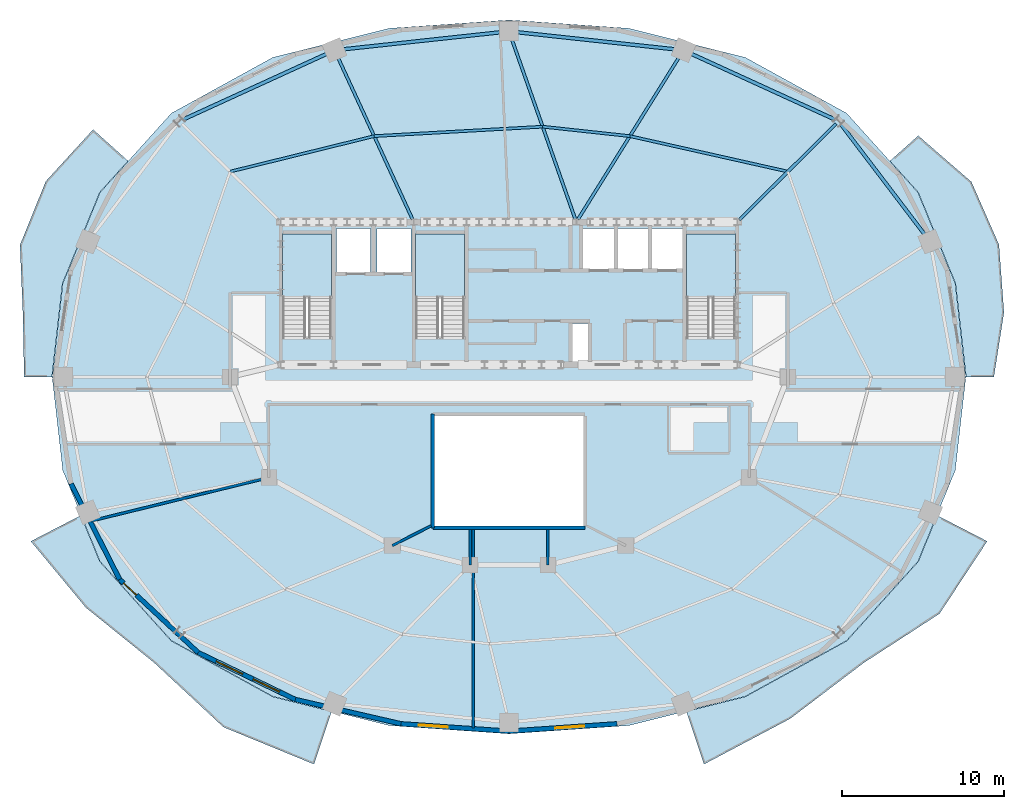
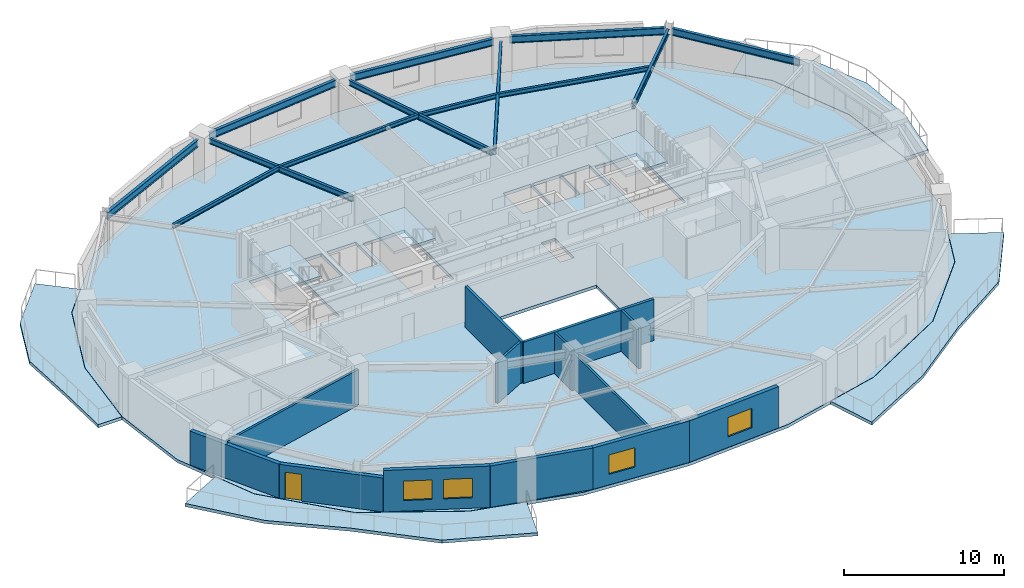
# One storey, part 3 of 11: 13 beams, 13 walls, 8 slabs, 4 windows, 1 door, 5 openings, 3 elements without a shape of their own.
"""IFC4 building model written with IfcOpenShell, lengths in metres."""

from ifc_helpers import new_model, si_unit, direction, frame, frame_2d, origin, origin_2d, place, context, subcontext, project, spatial, polyline, rectangle, i_section, outline, extrude, material, layer, layer_set, material_profile, profile_set, type_object, element, fill, aggregate, save


model = new_model("IFC4")

# Units and contexts
model_context = context("Model", 3, precision=1e-05, world=origin(), true_north=direction((0.0, 1.0)))
body_context = subcontext(model_context, "Body", "Model", "MODEL_VIEW")
ifc_project = project(units=[si_unit("LENGTHUNIT", "METRE"), si_unit("AREAUNIT", "SQUARE_METRE"), si_unit("VOLUMEUNIT", "CUBIC_METRE"), si_unit("PLANEANGLEUNIT", "RADIAN"), si_unit("MASSUNIT", "GRAM", prefix="KILO")], contexts=[model_context])

# Site, building, storey
site_placement = place(None, origin())
site = spatial("IfcSite", under=ifc_project, at=site_placement, CompositionType="ELEMENT")
building_placement = place(site_placement, origin())
building = spatial("IfcBuilding", under=site, at=building_placement, Name="Haldorwick Loom Tower", CompositionType="ELEMENT")
storey_placement = place(building_placement, frame((0.0, 0.0, 218.64990234375)))
storey = spatial("IfcBuildingStorey", under=building, at=storey_placement, Name="L59", CompositionType="ELEMENT", Elevation=218.64990234375)

# Beams
ifc_material_1 = material(Name="Steel CSA G40.21 350W", Category="steel")
ifc_material_profile_1 = material_profile(ifc_material_1, i_section(OverallWidth=0.166015625, OverallDepth=0.31298828125, WebThickness=0.006591796875, FlangeThickness=0.01123046875, at=origin_2d()), Name="W310X45", Category="steel")
ifc_profile_set_1 = profile_set([ifc_material_profile_1], Name="Steel CSA G40.21 350W")
beam_type_1 = type_object("IfcBeamType", Name="STR-BM-J310", PredefinedType="JOIST", material=ifc_profile_set_1)
beam_1_placement = place(storey_placement, frame((53.19384765625, 38.657470703125, 2.99365234375), z_axis=(-0.975700785876, 0.219107225898, 0.0), x_axis=(-0.219107225898, -0.975700785876, 0.0)))
element("IfcBeam", 1, at=beam_1_placement, inside=storey, type_object=beam_type_1, Name="L59 Mid-Bay Secondary Joist 3", PredefinedType="JOIST", context=body_context, shape_type="SweptSolid", body=[
    extrude(i_section(OverallWidth=0.166015625, OverallDepth=0.31298828125, WebThickness=0.006591796875, FlangeThickness=0.01123046875, at=origin_2d()), origin(), (0.0, 0.0, 1.0), 9.98486328125),
])
beam_2_placement = place(storey_placement, frame((43.45166015625, 40.84521484375, 2.99365234375), z_axis=(-0.994187082722, 0.107666357549, 0.0), x_axis=(-0.107666357549, -0.994187082722, 0.0)))
element("IfcBeam", 2, at=beam_2_placement, inside=storey, type_object=beam_type_1, Name="L59 Mid-Bay Secondary Joist 4", PredefinedType="JOIST", context=body_context, shape_type="SweptSolid", body=[
    extrude(i_section(OverallWidth=0.166015625, OverallDepth=0.31298828125, WebThickness=0.006591796875, FlangeThickness=0.01123046875, at=origin_2d()), origin(), (0.0, 0.0, 1.0), 5.408203125),
])
beam_3_placement = place(storey_placement, frame((38.074951171875, 41.427490234375, 2.99365234375), z_axis=(-0.998432354117, -0.05597172726, 0.0), x_axis=(0.05597172726, -0.998432354117, 0.0)))
element("IfcBeam", 3, at=beam_3_placement, inside=storey, type_object=beam_type_1, Name="L59 Mid-Bay Secondary Joist 5", PredefinedType="JOIST", context=body_context, shape_type="SweptSolid", body=[
    extrude(i_section(OverallWidth=0.166015625, OverallDepth=0.31298828125, WebThickness=0.006591796875, FlangeThickness=0.01123046875, at=origin_2d()), origin(), (0.0, 0.0, 1.0), 10.403076171875),
])
beam_4_placement = place(storey_placement, frame((27.688232421875, 40.84521484375, 2.99365234375), z_axis=(-0.970979703726, -0.239161901132, 0.0), x_axis=(0.239161901132, -0.970979703726, 0.0)))
element("IfcBeam", 4, at=beam_4_placement, inside=storey, type_object=beam_type_1, Name="L59 Mid-Bay Secondary Joist 6", PredefinedType="JOIST", context=body_context, shape_type="SweptSolid", body=[
    extrude(i_section(OverallWidth=0.166015625, OverallDepth=0.31298828125, WebThickness=0.006591796875, FlangeThickness=0.01123046875, at=origin_2d()), origin(), (0.0, 0.0, 1.0), 9.1474609375),
])
ifc_material_profile_2 = material_profile(ifc_material_1, i_section(OverallWidth=0.179931640625, OverallDepth=0.4130859375, WebThickness=0.009765625, FlangeThickness=0.01611328125, at=origin_2d()), Name="W410X74", Category="steel")
ifc_profile_set_2 = profile_set([ifc_material_profile_2], Name="Steel CSA G40.21 350W")
beam_type_2 = type_object("IfcBeamType", Name="STR-BM-J410", PredefinedType="JOIST", material=ifc_profile_set_2)
beam_5_placement = place(storey_placement, frame((50.1962890625, 35.675537109375, 2.943603515625), z_axis=(0.708962390492, 0.70524628951, 0.0), x_axis=(-0.70524628951, 0.708962390492, 0.0)))
element("IfcBeam", 5, at=beam_5_placement, inside=storey, type_object=beam_type_2, Name="L59 Radial Floor Girder 3", PredefinedType="JOIST", context=body_context, shape_type="SweptSolid", body=[
    extrude(i_section(OverallWidth=0.179931640625, OverallDepth=0.4130859375, WebThickness=0.009765625, FlangeThickness=0.01611328125, at=origin_2d()), origin(), (0.0, 0.0, 1.0), 8.409423828125),
])
beam_6_placement = place(storey_placement, frame((40.244140625, 35.700927734375, 2.943603515625), z_axis=(0.529095323143, 0.848562395483, 0.0), x_axis=(-0.848562395483, 0.529095323143, 0.0)))
element("IfcBeam", 6, at=beam_6_placement, inside=storey, type_object=beam_type_2, Name="L59 Radial Floor Girder 4", PredefinedType="JOIST", context=body_context, shape_type="SweptSolid", body=[
    extrude(i_section(OverallWidth=0.179931640625, OverallDepth=0.4130859375, WebThickness=0.009765625, FlangeThickness=0.01611328125, at=origin_2d()), origin(), (0.0, 0.0, 1.0), 11.78271484375),
])
beam_7_placement = place(storey_placement, frame((40.0908203125, 35.7177734375, 2.943603515625), z_axis=(-0.332908014691, 0.942959306521, 0.0), x_axis=(-0.942959306521, -0.332908014691, 0.0)))
element("IfcBeam", 7, at=beam_7_placement, inside=storey, type_object=beam_type_2, Name="L59 Radial Floor Girder 5", PredefinedType="JOIST", context=body_context, shape_type="SweptSolid", body=[
    extrude(i_section(OverallWidth=0.179931640625, OverallDepth=0.4130859375, WebThickness=0.009765625, FlangeThickness=0.01611328125, at=origin_2d()), origin(), (0.0, 0.0, 1.0), 11.768310546875),
])
beam_8_placement = place(storey_placement, frame((30.055419921875, 35.711669921875, 2.943603515625), z_axis=(-0.418729142855, 0.908111174319, 0.0), x_axis=(-0.908111174319, -0.418729142855, 0.0)))
element("IfcBeam", 8, at=beam_8_placement, inside=storey, type_object=beam_type_2, Name="L59 Radial Floor Girder 6", PredefinedType="JOIST", context=body_context, shape_type="SweptSolid", body=[
    extrude(i_section(OverallWidth=0.179931640625, OverallDepth=0.4130859375, WebThickness=0.009765625, FlangeThickness=0.01611328125, at=origin_2d()), origin(), (0.0, 0.0, 1.0), 10.96435546875),
])
ifc_material_profile_3 = material_profile(ifc_material_1, i_section(OverallWidth=0.2119140625, OverallDepth=0.5439453125, WebThickness=0.01318359375, FlangeThickness=0.021240234375, at=origin_2d()), Name="W530X123", Category="steel")
ifc_profile_set_3 = profile_set([ifc_material_profile_3], Name="Steel CSA G40.21 350W")
beam_type_3 = type_object("IfcBeamType", Name="STR-BM-SP530", PredefinedType="SPANDREL", material=ifc_profile_set_3)
beam_9_placement = place(storey_placement, frame((61.646240234375, 34.75634765625, 2.878173828125), z_axis=(-0.605236944797, 0.796045376001, 0.0), x_axis=(-0.796045376001, -0.605236944797, 0.0)))
element("IfcBeam", 9, at=beam_9_placement, inside=storey, type_object=beam_type_3, Name="L59 Perimeter Spandrel 2", PredefinedType="SPANDREL", context=body_context, shape_type="SweptSolid", body=[
    extrude(i_section(OverallWidth=0.2119140625, OverallDepth=0.5439453125, WebThickness=0.01318359375, FlangeThickness=0.021240234375, at=origin_2d()), origin(), (0.0, 0.0, 1.0), 8.5791015625),
])
beam_10_placement = place(storey_placement, frame((56.113037109375, 41.8583984375, 2.878173828125), z_axis=(-0.909342182232, 0.416049030299, 0.0), x_axis=(-0.416049030299, -0.909342182232, 0.0)))
element("IfcBeam", 10, at=beam_10_placement, inside=storey, type_object=beam_type_3, Name="L59 Perimeter Spandrel 3", PredefinedType="SPANDREL", context=body_context, shape_type="SweptSolid", body=[
    extrude(i_section(OverallWidth=0.2119140625, OverallDepth=0.5439453125, WebThickness=0.01318359375, FlangeThickness=0.021240234375, at=origin_2d()), origin(), (0.0, 0.0, 1.0), 9.772705078125),
])
for number, where, z_axis, x_axis, name in (
    (11, (46.236328125, 46.196533203125, 2.878173828125), (-0.994187774205, 0.107659972233, 0.0), (-0.107659972233, -0.994187774205, 0.0), "L59 Perimeter Spandrel 4"),
    (12, (35.48291015625, 47.2490234375, 2.878173828125), (-0.994187774205, -0.107659972233, 0.0), (0.107659972233, -0.994187774205, 0.0), "L59 Perimeter Spandrel 5"),
):
    element("IfcBeam", number, at=place(storey_placement, frame(where, z_axis=z_axis, x_axis=x_axis)), inside=storey, type_object=beam_type_3, Name=name, PredefinedType="SPANDREL", context=body_context, shape_type="SweptSolid", body=[
        extrude(i_section(OverallWidth=0.2119140625, OverallDepth=0.5439453125, WebThickness=0.01318359375, FlangeThickness=0.021240234375, at=origin_2d()), origin(), (0.0, 0.0, 1.0), 9.776123046875),
    ])
beam_11_placement = place(storey_placement, frame((24.773681640625, 45.92431640625, 2.878173828125), z_axis=(-0.909342182232, -0.416049030299, 0.0), x_axis=(0.416049030299, -0.909342182232, 0.0)))
element("IfcBeam", 13, at=beam_11_placement, inside=storey, type_object=beam_type_3, Name="L59 Perimeter Spandrel 6", PredefinedType="SPANDREL", context=body_context, shape_type="SweptSolid", body=[
    extrude(i_section(OverallWidth=0.2119140625, OverallDepth=0.5439453125, WebThickness=0.01318359375, FlangeThickness=0.021240234375, at=origin_2d()), origin(), (0.0, 0.0, 1.0), 9.772705078125),
])

# Slabs
ifc_material_2 = material(Name="Concrete C40 (40 MPa)", Category="concrete")
ifc_layer_1 = layer(ifc_material_2, 0.239990234375, Name="Concrete C40 (40 MPa)", Category="concrete")
ifc_layer_set_1 = layer_set([ifc_layer_1], Name="Concrete C40 (40 MPa)")
slab_type_1 = type_object("IfcSlabType", Name="STR-SLB-BAL240", PredefinedType="FLOOR", material=ifc_layer_set_1)
slab_1_placement = place(storey_placement, frame((0.0, 0.0, -0.239990234375)))
element("IfcSlab", 14, at=slab_1_placement, inside=storey, type_object=slab_type_1, Name="L59 Sinusoidal Balcony Terrace BAL_SE", PredefinedType="FLOOR", context=body_context, shape_type="SweptSolid", body=[
    extrude(outline(polyline([(62.391845703125, 17.46142578125), (61.229736328125, 14.62060546875), (61.229248046875, 14.619384765625), (61.228515625, 14.6181640625), (61.227783203125, 14.6171875), (61.22705078125, 14.6162109375), (56.82373046875, 9.72998046875), (56.82275390625, 9.72900390625), (56.8212890625, 9.727783203125), (56.81982421875, 9.72705078125), (50.565673828125, 6.287109375), (50.564453125, 6.286376953125), (50.563232421875, 6.285888671875), (50.56201171875, 6.285400390625), (46.934326171875, 5.379638671875), (48.02197265625, 2.12060546875), (53.33056640625, 4.9296875), (57.87548828125, 8.379638671875), (62.54052734375, 11.405029296875), (65.47900390625, 15.8671875), (62.391845703125, 17.46142578125)])), origin(), (0.0, 0.0, 1.0), 0.239990234375),
])
slab_2_placement = place(storey_placement, frame((0.0, 0.0, -0.239990234375)))
element("IfcSlab", 15, at=slab_2_placement, inside=storey, type_object=slab_type_1, Name="L59 Sinusoidal Balcony Terrace BAL_SW", PredefinedType="FLOOR", context=body_context, shape_type="SweptSolid", body=[
    extrude(outline(polyline([(25.065673828125, 5.379638671875), (21.43798828125, 6.285400390625), (21.436767578125, 6.285888671875), (21.435546875, 6.286376953125), (21.434326171875, 6.287109375), (15.18017578125, 9.72705078125), (15.1787109375, 9.727783203125), (15.17724609375, 9.72900390625), (15.17626953125, 9.72998046875), (10.77294921875, 14.6162109375), (10.772216796875, 14.6171875), (10.771484375, 14.6181640625), (10.770751953125, 14.619384765625), (10.770263671875, 14.62060546875), (9.608154296875, 17.46142578125), (6.52099609375, 15.8671875), (9.905517578125, 11.78662109375), (14.12451171875, 8.379638671875), (18.397705078125, 4.4091796875), (23.97802734375, 2.12060546875), (25.065673828125, 5.379638671875)])), origin(), (0.0, 0.0, 1.0), 0.239990234375),
])
slab_3_placement = place(storey_placement, frame((0.0, 0.0, -0.239990234375)))
element("IfcSlab", 16, at=slab_3_placement, inside=storey, type_object=slab_type_1, Name="L59 Sinusoidal Balcony Terrace BAL_WNW", PredefinedType="FLOOR", context=body_context, shape_type="SweptSolid", body=[
    extrude(outline(polyline([(7.818603515625, 26.0), (7.818603515625, 26.001708984375), (8.472412109375, 31.760986328125), (8.47265625, 31.762451171875), (8.472900390625, 31.763916015625), (8.473388671875, 31.76513671875), (10.770263671875, 37.37939453125), (10.770751953125, 37.380615234375), (10.771484375, 37.3818359375), (10.772216796875, 37.3828125), (10.77294921875, 37.3837890625), (12.512939453125, 39.314697265625), (10.359619140625, 41.251708984375), (7.4423828125, 38.0595703125), (5.851806640625, 34.1298828125), (6.030517578125, 29.86865234375), (6.107177734375, 26.0), (7.818603515625, 26.0)])), origin(), (0.0, 0.0, 1.0), 0.239990234375),
])
slab_4_placement = place(storey_placement, frame((0.0, 0.0, -0.239990234375)))
element("IfcSlab", 17, at=slab_4_placement, inside=storey, type_object=slab_type_1, Name="L59 Sinusoidal Balcony Terrace BAL_ENE", PredefinedType="FLOOR", context=body_context, shape_type="SweptSolid", body=[
    extrude(outline(polyline([(59.4873046875, 39.314208984375), (61.22705078125, 37.3837890625), (61.227783203125, 37.3828125), (61.228515625, 37.3818359375), (61.229248046875, 37.380615234375), (61.229736328125, 37.37939453125), (63.526611328125, 31.76513671875), (63.527099609375, 31.763916015625), (63.52734375, 31.762451171875), (63.527587890625, 31.760986328125), (64.181396484375, 26.001708984375), (64.181396484375, 26.0), (65.892822265625, 26.0), (66.5166015625, 29.979736328125), (66.205078125, 34.153564453125), (64.506103515625, 38.02587890625), (61.2314453125, 40.871337890625), (59.4873046875, 39.314208984375)])), origin(), (0.0, 0.0, 1.0), 0.239990234375),
])

# Stair, slab
stair_type = type_object("IfcStairType", Name="STR-STR-CORE", PredefinedType="HALF_TURN_STAIR", material=ifc_material_2)
stair_1_placement = place(storey_placement, origin())
stair_1 = element("IfcStair", 18, at=stair_1_placement, inside=storey, type_object=stair_type, Name="L59 Exit Stair ST-01", PredefinedType="HALF_TURN_STAIR")
ifc_layer_2 = layer(ifc_material_2, 0.199951171875, Name="Concrete C40 (40 MPa)", Category="concrete")
ifc_layer_set_2 = layer_set([ifc_layer_2], Name="Concrete C40 (40 MPa)")
slab_type_2 = type_object("IfcSlabType", Name="STR-SLB-LAND200", PredefinedType="LANDING", material=ifc_layer_set_2)
slab_5_placement = place(storey_placement, frame((0.0, 0.0, 1.525146484375)))
slab_5 = element("IfcSlab", 19, at=slab_5_placement, type_object=slab_type_2, Name="ST-01 landing 1", PredefinedType="LANDING", context=body_context, shape_type="SweptSolid", body=[
    extrude(outline(polyline([(25.050048828125, 30.919921875), (25.050048828125, 34.800048828125), (22.050048828125, 34.800048828125), (22.050048828125, 30.919921875), (25.050048828125, 30.919921875)])), origin(), (0.0, 0.0, 1.0), 0.199951171875),
])
aggregate(stair_1, [slab_5])

stair_2_placement = place(storey_placement, origin())
stair_2 = element("IfcStair", 20, at=stair_2_placement, inside=storey, type_object=stair_type, Name="L59 Exit Stair ST-02", PredefinedType="HALF_TURN_STAIR")
slab_6_placement = place(storey_placement, frame((0.0, 0.0, 1.525146484375)))
slab_6 = element("IfcSlab", 21, at=slab_6_placement, type_object=slab_type_2, Name="ST-02 landing 1", PredefinedType="LANDING", context=body_context, shape_type="SweptSolid", body=[
    extrude(outline(polyline([(49.949951171875, 30.919921875), (49.949951171875, 34.800048828125), (46.949951171875, 34.800048828125), (46.949951171875, 30.919921875), (49.949951171875, 30.919921875)])), origin(), (0.0, 0.0, 1.0), 0.199951171875),
])
aggregate(stair_2, [slab_6])

stair_3_placement = place(storey_placement, origin())
stair_3 = element("IfcStair", 22, at=stair_3_placement, inside=storey, type_object=stair_type, Name="L59 Exit Stair ST-03", PredefinedType="HALF_TURN_STAIR")
slab_7_placement = place(storey_placement, frame((0.0, 0.0, 1.525146484375)))
slab_7 = element("IfcSlab", 23, at=slab_7_placement, type_object=slab_type_2, Name="ST-03 landing 1", PredefinedType="LANDING", context=body_context, shape_type="SweptSolid", body=[
    extrude(outline(polyline([(33.25, 30.919921875), (33.25, 34.800048828125), (30.25, 34.800048828125), (30.25, 30.919921875), (33.25, 30.919921875)])), origin(), (0.0, 0.0, 1.0), 0.199951171875),
])
aggregate(stair_3, [slab_7])

# Slab
ifc_layer_3 = layer(ifc_material_2, 0.239990234375, Name="Concrete C40 (40 MPa)", Category="concrete")
ifc_layer_set_3 = layer_set([ifc_layer_3], Name="Concrete C40 (40 MPa)")
slab_type_3 = type_object("IfcSlabType", Name="STR-SLB-RES240", PredefinedType="FLOOR", material=ifc_layer_set_3)
slab_8_placement = place(storey_placement, frame((0.0, 0.0, -0.239990234375)))
element("IfcSlab", 24, at=slab_8_placement, inside=storey, type_object=slab_type_3, Name="L59 Residential Structural Floor Slab", PredefinedType="FLOOR", context=body_context, shape_type="SweptSolid", body=[
    extrude(outline(polyline([(56.812744140625, 9.739990234375), (61.2158203125, 14.626220703125), (63.5126953125, 20.240478515625), (64.16650390625, 26.0), (63.5126953125, 31.759521484375), (61.2158203125, 37.373779296875), (56.812744140625, 42.260009765625), (50.558349609375, 45.699951171875), (43.3720703125, 47.494384765625), (36.0, 48.0048828125), (28.6279296875, 47.494384765625), (21.441650390625, 45.699951171875), (15.187255859375, 42.260009765625), (10.7841796875, 37.373779296875), (8.4873046875, 31.759521484375), (7.83349609375, 26.0), (8.4873046875, 20.240478515625), (10.7841796875, 14.626220703125), (15.187255859375, 9.739990234375), (21.441650390625, 6.300048828125), (28.6279296875, 4.505615234375), (36.0, 3.9951171875), (43.3720703125, 4.505615234375), (50.558349609375, 6.300048828125), (56.812744140625, 9.739990234375)]), holes=[polyline([(31.39990234375, 16.800048828125), (31.39990234375, 23.60009765625), (40.60009765625, 23.60009765625), (40.60009765625, 16.800048828125), (31.39990234375, 16.800048828125)]), polyline([(40.89990234375, 26.89990234375), (39.89990234375, 26.89990234375), (39.89990234375, 29.300048828125), (40.89990234375, 29.300048828125), (40.89990234375, 26.89990234375)]), polyline([(23.6201171875, 28.39990234375), (22.050048828125, 28.39990234375), (22.050048828125, 34.800048828125), (25.050048828125, 34.800048828125), (25.050048828125, 28.639892578125), (23.6201171875, 28.639892578125), (23.6201171875, 28.39990234375)]), polyline([(30.25, 28.39990234375), (30.25, 34.800048828125), (33.25, 34.800048828125), (33.25, 28.639892578125), (31.820068359375, 28.639892578125), (31.820068359375, 28.39990234375), (30.25, 28.39990234375)]), polyline([(46.949951171875, 28.39990234375), (46.949951171875, 34.800048828125), (49.949951171875, 34.800048828125), (49.949951171875, 28.639892578125), (48.52001953125, 28.639892578125), (48.52001953125, 28.39990234375), (46.949951171875, 28.39990234375)]), polyline([(27.449951171875, 32.449951171875), (25.35009765625, 32.449951171875), (25.35009765625, 35.14990234375), (27.449951171875, 35.14990234375), (27.449951171875, 32.449951171875)]), polyline([(29.949951171875, 32.449951171875), (27.85009765625, 32.449951171875), (27.85009765625, 35.14990234375), (29.949951171875, 35.14990234375), (29.949951171875, 32.449951171875)]), polyline([(42.550048828125, 32.64990234375), (40.550048828125, 32.64990234375), (40.550048828125, 35.14990234375), (42.550048828125, 35.14990234375), (42.550048828125, 32.64990234375)]), polyline([(42.64990234375, 32.64990234375), (42.64990234375, 35.14990234375), (44.64990234375, 35.14990234375), (44.64990234375, 32.64990234375), (42.64990234375, 32.64990234375)]), polyline([(44.75, 32.64990234375), (44.75, 35.14990234375), (46.75, 35.14990234375), (46.75, 32.64990234375), (44.75, 32.64990234375)])]), origin(), (0.0, 0.0, 1.0), 0.239990234375),
])

# Wall
ifc_material_3 = material(Name="Pressed Clay Face Brick and Insulated Masonry Backup Assembly", Category="masonry")
ifc_layer_4 = layer(ifc_material_3, 0.280029296875, Name="Pressed Clay Face Brick and Insulated Masonry Backup Assembly", Category="masonry")
ifc_layer_set_4 = layer_set([ifc_layer_4], Name="Pressed Clay Face Brick and Insulated Masonry Backup Assembly")
wall_type_1 = type_object("IfcWallType", Name="ARC-WL-EXT280", PredefinedType="STANDARD", material=ifc_layer_set_4)
wall_1_placement = place(storey_placement, frame((8.995849609375, 19.415283203125, 0.0), z_axis=(0.0, 0.0, 1.0), x_axis=(0.453032066879, -0.89149422117, 0.0)))
element("IfcWall", 25, at=wall_1_placement, inside=storey, type_object=wall_type_1, Name="L59 Brick Pier and Spandrel Wall 14", PredefinedType="STANDARD", context=body_context, shape_type="SweptSolid", body=[
    extrude(rectangle(XDim=6.618896484375, YDim=0.280029296875, at=frame_2d((3.3095703125, 0.0))), origin(), (0.0, 0.0, 1.0), 2.5810546875),
])

# Wall, opening, door
wall_2_placement = place(storey_placement, frame((11.994384765625, 13.5146484375, 0.0), z_axis=(0.0, 0.0, 1.0), x_axis=(0.731833707499, -0.681483253329, 0.0)))
wall_2 = element("IfcWall", 26, at=wall_2_placement, inside=storey, type_object=wall_type_1, Name="L59 Brick Pier and Spandrel Wall 15", PredefinedType="STANDARD", context=body_context, shape_type="SweptSolid", body=[
    extrude(rectangle(XDim=6.61865234375, YDim=0.280029296875, at=frame_2d((3.309326171875, 0.0))), origin(), (0.0, 0.0, 1.0), 2.5810546875),
])
opening_1_placement = place(wall_2_placement, frame((0.340087890625, 0.0, 0.0)))
opening_1 = element("IfcOpeningElement", 27, at=opening_1_placement, cuts=wall_2, Name="Opening D-BL11", PredefinedType="OPENING", context=body_context, shape_type="SweptSolid", body=[
    extrude(rectangle(XDim=1.080078125, YDim=2.0400390625, at=frame_2d((0.5400390625, 1.02001953125))), frame((0.0, 0.14990234375, 0.0), z_axis=(0.0, -1.0, 0.0), x_axis=(1.0, 0.0, 0.0)), (0.0, 0.0, 1.0), 0.300048828125),
])
ifc_material_4 = material(Name="Thermally Broken Anodized Aluminium Curtain Wall Framing", Category="aluminium")
door_type = type_object("IfcDoorType", Name="ARC-DR-BAL110", OperationType="NOTDEFINED", PredefinedType="DOOR", material=ifc_material_4)
door_placement = place(opening_1_placement, origin())
door = element("IfcDoor", 28, at=door_placement, inside=storey, type_object=door_type, Name="L59 Outdoor Terrace Door SLB-L59-BAL_SW", OperationType="SINGLE_SWING_LEFT", OverallHeight=2.0400390625, OverallWidth=1.080078125, PredefinedType="DOOR", context=body_context, shape_type="SweptSolid", body=[
    extrude(rectangle(XDim=1.080078125, YDim=2.0400390625, at=frame_2d((0.5400390625, 1.02001953125))), frame((0.0, 0.02490234375, 0.0), z_axis=(0.0, -1.0, 0.0), x_axis=(1.0, 0.0, 0.0)), (0.0, 0.0, 1.0), 0.050048828125),
])
fill(opening_1, door)

# Wall, openings, windows
wall_3_placement = place(storey_placement, frame((16.838134765625, 9.004150390625, 0.0), z_axis=(0.0, 0.0, 1.0), x_axis=(0.900371236029, -0.435122554381, 0.0)))
wall_3 = element("IfcWall", 29, at=wall_3_placement, inside=storey, type_object=wall_type_1, Name="L59 Brick Pier and Spandrel Wall 16", PredefinedType="STANDARD", context=body_context, shape_type="SweptSolid", body=[
    extrude(rectangle(XDim=6.6533203125, YDim=0.280029296875, at=frame_2d((3.32666015625, 0.0))), origin(), (0.0, 0.0, 1.0), 3.150146484375),
])
opening_2_placement = place(wall_3_placement, frame((1.234375, 0.0, 0.800048828125)))
opening_2 = element("IfcOpeningElement", 30, at=opening_2_placement, cuts=wall_3, Name="Opening W-01", PredefinedType="OPENING", context=body_context, shape_type="SweptSolid", body=[
    extrude(rectangle(XDim=1.800048828125, YDim=1.47998046875, at=frame_2d((0.89990234375, 0.739990234375))), frame((0.0, 0.14990234375, 0.0), z_axis=(0.0, -1.0, 0.0), x_axis=(1.0, 0.0, 0.0)), (0.0, 0.0, 1.0), 0.300048828125),
])
opening_3_placement = place(wall_3_placement, frame((3.75732421875, 0.0, 0.800048828125)))
opening_3 = element("IfcOpeningElement", 31, at=opening_3_placement, cuts=wall_3, Name="Opening W-01", PredefinedType="OPENING", context=body_context, shape_type="SweptSolid", body=[
    extrude(rectangle(XDim=1.800048828125, YDim=1.47998046875, at=frame_2d((0.89990234375, 0.739990234375))), frame((0.0, 0.14990234375, 0.0), z_axis=(0.0, -1.0, 0.0), x_axis=(1.0, 0.0, 0.0)), (0.0, 0.0, 1.0), 0.300048828125),
])
ifc_material_5 = material(Name="Triple-Glazed Low-E Argon Insulated Glazing Unit", Category="glass")
window_type = type_object("IfcWindowType", Name="ARC-WIN-W180", PartitioningType="SINGLE_PANEL", PredefinedType="WINDOW", material=ifc_material_5)
window_1_placement = place(opening_2_placement, origin())
window_1 = element("IfcWindow", 32, at=window_1_placement, inside=storey, type_object=window_type, Name="L59 Deep-Set Zone 7A Window 16", OverallHeight=1.47998046875, OverallWidth=1.800048828125, PartitioningType="SINGLE_PANEL", PredefinedType="WINDOW", context=body_context, shape_type="SweptSolid", body=[
    extrude(rectangle(XDim=1.800048828125, YDim=1.47998046875, at=frame_2d((0.89990234375, 0.739990234375))), frame((0.0, 0.030029296875, 0.0), z_axis=(0.0, -1.0, 0.0), x_axis=(1.0, 0.0, 0.0)), (0.0, 0.0, 1.0), 0.06005859375),
])
fill(opening_2, window_1)
window_2_placement = place(opening_3_placement, origin())
window_2 = element("IfcWindow", 33, at=window_2_placement, inside=storey, type_object=window_type, Name="L59 Deep-Set Zone 7A Window 16", OverallHeight=1.47998046875, OverallWidth=1.800048828125, PartitioningType="SINGLE_PANEL", PredefinedType="WINDOW", context=body_context, shape_type="SweptSolid", body=[
    extrude(rectangle(XDim=1.800048828125, YDim=1.47998046875, at=frame_2d((0.89990234375, 0.739990234375))), frame((0.0, 0.030029296875, 0.0), z_axis=(0.0, -1.0, 0.0), x_axis=(1.0, 0.0, 0.0)), (0.0, 0.0, 1.0), 0.06005859375),
])
fill(opening_3, window_2)

# Wall
wall_4_placement = place(storey_placement, frame((22.82861328125, 6.109130859375, 0.0), z_axis=(0.0, 0.0, 1.0), x_axis=(0.974557343474, -0.224138315065, 0.0)))
element("IfcWall", 34, at=wall_4_placement, inside=storey, type_object=wall_type_1, Name="L59 Brick Pier and Spandrel Wall 17", PredefinedType="STANDARD", context=body_context, shape_type="SweptSolid", body=[
    extrude(rectangle(XDim=6.676025390625, YDim=0.280029296875, at=frame_2d((3.337890625, 0.0))), origin(), (0.0, 0.0, 1.0), 3.150146484375),
])

# Wall, opening, window
wall_5_placement = place(storey_placement, frame((29.334716796875, 4.61279296875, 0.0), z_axis=(0.0, 0.0, 1.0), x_axis=(0.99764992135, -0.068517402386, 0.0)))
wall_5 = element("IfcWall", 35, at=wall_5_placement, inside=storey, type_object=wall_type_1, Name="L59 Brick Pier and Spandrel Wall 18", PredefinedType="STANDARD", context=body_context, shape_type="SweptSolid", body=[
    extrude(rectangle(XDim=6.680908203125, YDim=0.280029296875, at=frame_2d((3.34033203125, 0.0))), origin(), (0.0, 0.0, 1.0), 3.150146484375),
])
opening_4_placement = place(wall_5_placement, frame((1.104248046875, 0.0, 0.800048828125)))
opening_4 = element("IfcOpeningElement", 36, at=opening_4_placement, cuts=wall_5, Name="Opening W-01", PredefinedType="OPENING", context=body_context, shape_type="SweptSolid", body=[
    extrude(rectangle(XDim=1.800048828125, YDim=1.47998046875, at=frame_2d((0.89990234375, 0.739990234375))), frame((0.0, 0.14990234375, 0.0), z_axis=(0.0, -1.0, 0.0), x_axis=(1.0, 0.0, 0.0)), (0.0, 0.0, 1.0), 0.300048828125),
])
window_3_placement = place(opening_4_placement, origin())
window_3 = element("IfcWindow", 37, at=window_3_placement, inside=storey, type_object=window_type, Name="L59 Deep-Set Zone 7A Window 18", OverallHeight=1.47998046875, OverallWidth=1.800048828125, PartitioningType="SINGLE_PANEL", PredefinedType="WINDOW", context=body_context, shape_type="SweptSolid", body=[
    extrude(rectangle(XDim=1.800048828125, YDim=1.47998046875, at=frame_2d((0.89990234375, 0.739990234375))), frame((0.0, 0.030029296875, 0.0), z_axis=(0.0, -1.0, 0.0), x_axis=(1.0, 0.0, 0.0)), (0.0, 0.0, 1.0), 0.06005859375),
])
fill(opening_4, window_3)

wall_6_placement = place(storey_placement, frame((36.0, 4.155029296875, 0.0), z_axis=(0.0, 0.0, 1.0), x_axis=(0.99764992135, 0.068517402386, 0.0)))
wall_6 = element("IfcWall", 38, at=wall_6_placement, inside=storey, type_object=wall_type_1, Name="L59 Brick Pier and Spandrel Wall 19", PredefinedType="STANDARD", context=body_context, shape_type="SweptSolid", body=[
    extrude(rectangle(XDim=6.680908203125, YDim=0.280029296875, at=frame_2d((3.34033203125, 0.0))), origin(), (0.0, 0.0, 1.0), 3.150146484375),
])
opening_5_placement = place(wall_6_placement, frame((2.860595703125, 0.0, 0.800048828125)))
opening_5 = element("IfcOpeningElement", 39, at=opening_5_placement, cuts=wall_6, Name="Opening W-01", PredefinedType="OPENING", context=body_context, shape_type="SweptSolid", body=[
    extrude(rectangle(XDim=1.800048828125, YDim=1.47998046875, at=frame_2d((0.89990234375, 0.739990234375))), frame((0.0, 0.14990234375, 0.0), z_axis=(0.0, -1.0, 0.0), x_axis=(1.0, 0.0, 0.0)), (0.0, 0.0, 1.0), 0.300048828125),
])
window_4_placement = place(opening_5_placement, origin())
window_4 = element("IfcWindow", 40, at=window_4_placement, inside=storey, type_object=window_type, Name="L59 Deep-Set Zone 7A Window 19", OverallHeight=1.47998046875, OverallWidth=1.800048828125, PartitioningType="SINGLE_PANEL", PredefinedType="WINDOW", context=body_context, shape_type="SweptSolid", body=[
    extrude(rectangle(XDim=1.800048828125, YDim=1.47998046875, at=frame_2d((0.89990234375, 0.739990234375))), frame((0.0, 0.030029296875, 0.0), z_axis=(0.0, -1.0, 0.0), x_axis=(1.0, 0.0, 0.0)), (0.0, 0.0, 1.0), 0.06005859375),
])
fill(opening_5, window_4)

# Walls
ifc_material_6 = material(Name="Fire-Rated Type X Gypsum Stud Assembly EI 60")
ifc_layer_5 = layer(ifc_material_6, 0.159912109375, Name="Fire-Rated Type X Gypsum Stud Assembly EI 60")
ifc_layer_set_5 = layer_set([ifc_layer_5], Name="Fire-Rated Type X Gypsum Stud Assembly EI 60")
wall_type_2 = type_object("IfcWallType", Name="ARC-WL-FIRE160", PredefinedType="PARTITIONING", material=ifc_layer_set_5)
wall_7_placement = place(storey_placement, frame((21.199951171875, 19.800048828125, 0.0), z_axis=(0.0, 0.0, 1.0), x_axis=(-0.971424010685, -0.237350777257, 0.0)))
element("IfcWall", 41, at=wall_7_placement, inside=storey, type_object=wall_type_2, Name="L59 Residential Fire Partition L59-ICR-08", PredefinedType="PARTITIONING", context=body_context, shape_type="SweptSolid", body=[
    extrude(rectangle(XDim=11.30859375, YDim=0.159912109375, at=frame_2d((5.654296875, 0.0))), origin(), (0.0, 0.0, 1.0), 2.712158203125),
])
wall_8_placement = place(storey_placement, frame((33.800048828125, 4.351318359375, 0.0), z_axis=(0.0, 0.0, 1.0), x_axis=(0.0, 1.0, 0.0)))
element("IfcWall", 42, at=wall_8_placement, inside=storey, type_object=wall_type_2, Name="L59 Residential Fire Partition L59-SBP-0", PredefinedType="PARTITIONING", context=body_context, shape_type="SweptSolid", body=[
    extrude(rectangle(XDim=12.24560546875, YDim=0.159912109375, at=frame_2d((6.122802734375, 0.0))), origin(), (0.0, 0.0, 1.0), 2.712158203125),
])
for number, where, z_axis, x_axis, name in (
    (43, (38.39990234375, 16.596923828125, 0.0), (0.0, 0.0, 1.0), (0.0, -1.0, 0.0), "L59 Residential Fire Partition L59-ICA-04"),
    (44, (33.60009765625, 16.596923828125, 0.0), (0.0, 0.0, 1.0), (0.0, -1.0, 0.0), "L59 Residential Fire Partition L59-ICA-05"),
):
    element("IfcWall", number, at=place(storey_placement, frame(where, z_axis=z_axis, x_axis=x_axis)), inside=storey, type_object=wall_type_2, Name=name, PredefinedType="PARTITIONING", context=body_context, shape_type="SweptSolid", body=[
        extrude(rectangle(XDim=2.197021484375, YDim=0.159912109375, at=frame_2d((1.0986328125, 0.0))), origin(), (0.0, 0.0, 1.0), 3.135009765625),
    ])
wall_9_placement = place(storey_placement, frame((31.197021484375, 16.822021484375, 0.0), z_axis=(0.0, 0.0, 1.0), x_axis=(-0.890915506237, -0.454169088278, 0.0)))
element("IfcWall", 45, at=wall_9_placement, inside=storey, type_object=wall_type_2, Name="L59 Residential Fire Partition L59-ICA-06", PredefinedType="PARTITIONING", context=body_context, shape_type="SweptSolid", body=[
    extrude(rectangle(XDim=2.6904296875, YDim=0.159912109375, at=frame_2d((1.34521484375, 0.0))), origin(), (0.0, 0.0, 1.0), 3.135009765625),
])
ifc_material_7 = material(Name="Fire-Rated Type X Gypsum Stud Assembly EI 120")
ifc_layer_6 = layer(ifc_material_7, 0.199951171875, Name="Fire-Rated Type X Gypsum Stud Assembly EI 120")
ifc_layer_set_6 = layer_set([ifc_layer_6], Name="Fire-Rated Type X Gypsum Stud Assembly EI 120")
wall_type_3 = type_object("IfcWallType", Name="ARC-WL-FIRE200", PredefinedType="PARTITIONING", material=ifc_layer_set_6)
wall_10_placement = place(storey_placement, frame((40.699951171875, 16.699951171875, 0.0), z_axis=(0.0, 0.0, 1.0), x_axis=(-1.0, 0.0, 0.0)))
element("IfcWall", 46, at=wall_10_placement, inside=storey, type_object=wall_type_3, Name="L59 Atrium Fire Enclosure Wall S", PredefinedType="PARTITIONING", context=body_context, shape_type="SweptSolid", body=[
    extrude(rectangle(XDim=9.39990234375, YDim=0.199951171875, at=frame_2d((4.699951171875, 0.0))), origin(), (0.0, 0.0, 1.0), 3.135009765625),
])
wall_11_placement = place(storey_placement, frame((31.300048828125, 16.699951171875, 0.0), z_axis=(0.0, 0.0, 1.0), x_axis=(0.0, 1.0, 0.0)))
element("IfcWall", 47, at=wall_11_placement, inside=storey, type_object=wall_type_3, Name="L59 Atrium Fire Enclosure Wall W", PredefinedType="PARTITIONING", context=body_context, shape_type="SweptSolid", body=[
    extrude(rectangle(XDim=7.0, YDim=0.199951171875, at=frame_2d((3.5, 0.0))), origin(), (0.0, 0.0, 1.0), 3.135009765625),
])

save(model, "model.ifc")
